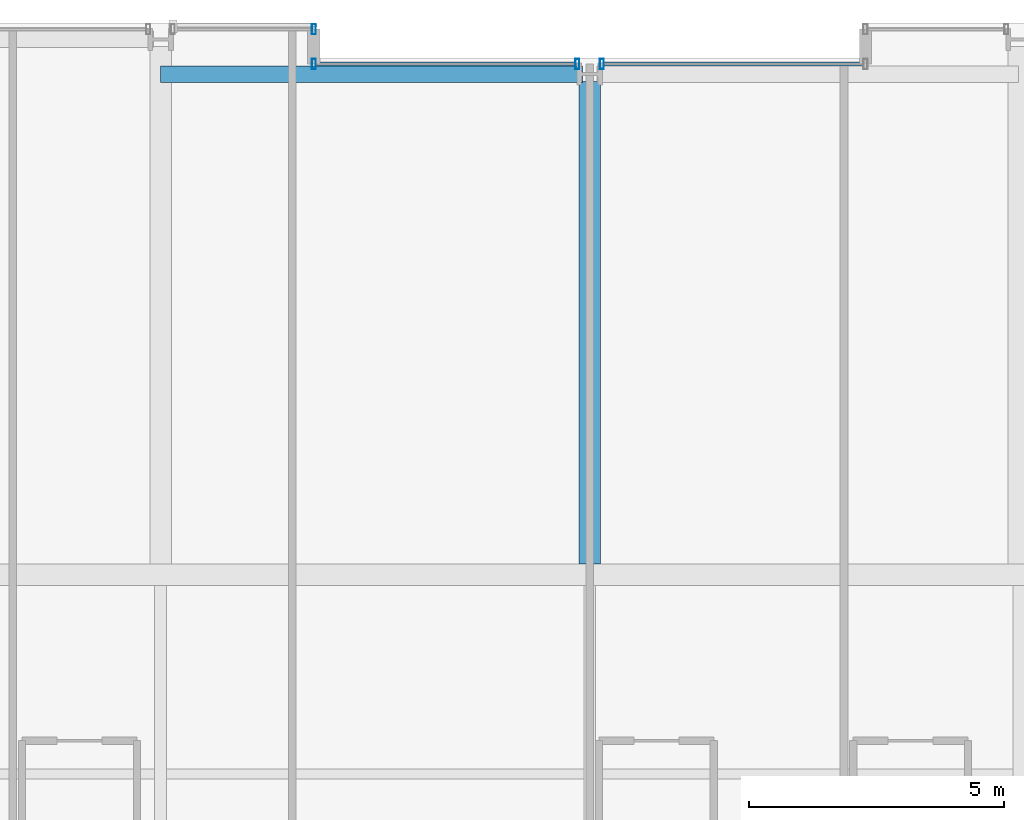
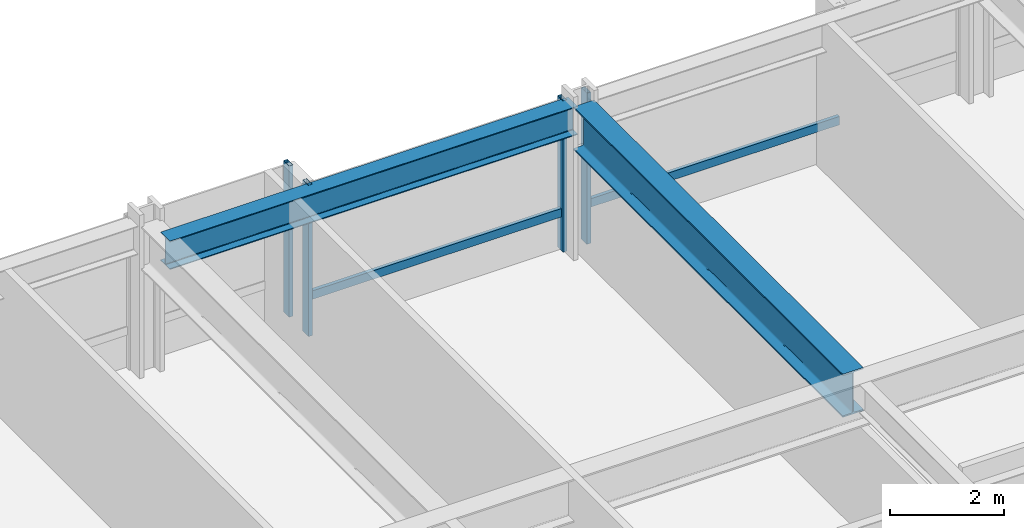
# One storey, part 23 of 39: 6 members, 2 beams, 3 elements without a shape of their own.
"""IFC4 building model written with IfcOpenShell, lengths in metres."""

from ifc_helpers import new_model, si_unit, direction, frame, origin, origin_2d, place, context, subcontext, project, spatial, hollow_rectangle, i_section, extrude, material, layer, layer_set, material_profile, profile_set, type_object, element, aggregate, save


model = new_model("IFC4")

# Units and contexts
model_context = context("Model", 3, precision=1e-05, world=origin(), true_north=direction((0.0, 1.0)))
body_context = subcontext(model_context, "Body", "Model", "MODEL_VIEW")
ifc_project = project(units=[si_unit("LENGTHUNIT", "METRE"), si_unit("AREAUNIT", "SQUARE_METRE"), si_unit("VOLUMEUNIT", "CUBIC_METRE"), si_unit("PLANEANGLEUNIT", "RADIAN"), si_unit("MASSUNIT", "GRAM", prefix="KILO")], contexts=[model_context])

# Site, building, storey
site_placement = place(None, origin())
site = spatial("IfcSite", under=ifc_project, at=site_placement, CompositionType="ELEMENT")
building_placement = place(site_placement, origin())
building = spatial("IfcBuilding", under=site, at=building_placement, Name="Drelvath Grand Hotel", CompositionType="ELEMENT")
storey_placement = place(building_placement, frame((0.0, 0.0, 40.199951171875)))
storey = spatial("IfcBuildingStorey", under=building, at=storey_placement, Name="L08", CompositionType="ELEMENT", Elevation=40.199951171875)

# Curtain wall, member
ifc_material_1 = material(Name="Warm Bronze Anodised Aluminium Frame", Category="aluminium")
ifc_layer = layer(ifc_material_1, 0.199951171875)
ifc_layer_set = layer_set([ifc_layer], Name="Warm Bronze Anodised Aluminium Frame")
curtain_wall_type = type_object("IfcCurtainWallType", Name="Stick Curtain Wall CW-02 Warm Bronze Low-Rise", PredefinedType="NOTDEFINED", material=ifc_layer_set)
curtain_wall_1_placement = place(storey_placement, origin())
curtain_wall_1 = element("IfcCurtainWall", 1, at=curtain_wall_1_placement, inside=storey, type_object=curtain_wall_type, Name="L08 CW-02 Curtain Wall CW02-L08-NM1", PredefinedType="NOTDEFINED")
ifc_material_profile_1 = material_profile(ifc_material_1, hollow_rectangle(XDim=0.074951171875, YDim=0.179931640625, WallThickness=0.0048828125, at=origin_2d()), Name="HSS180X75X5")
ifc_profile_set_1 = profile_set([ifc_material_profile_1], Name="Warm Bronze Anodised Aluminium Frame")
member_type_1 = type_object("IfcMemberType", Name="Curtain Wall Horizontal Transom CW-02 HSS180X75X5", PredefinedType="USERDEFINED", material=ifc_profile_set_1)
member_1_placement = place(storey_placement, frame((-5.360107421875, 53.199951171875, 0.81005859375), z_axis=(1.0, 0.0, 0.0), x_axis=(0.0, 1.0, 0.0)))
member_1 = element("IfcMember", 2, at=member_1_placement, type_object=member_type_1, Name="CW02-L08-NM1 Sill Transom", ObjectType="TRANSOM", PredefinedType="USERDEFINED", context=body_context, shape_type="SweptSolid", body=[
    extrude(hollow_rectangle(XDim=0.074951171875, YDim=0.179931640625, WallThickness=0.0048828125, at=origin_2d()), origin(), (0.0, 0.0, 1.0), 5.0791015625),
])

curtain_wall_2_placement = place(storey_placement, origin())
curtain_wall_2 = element("IfcCurtainWall", 3, at=curtain_wall_2_placement, inside=storey, type_object=curtain_wall_type, Name="L08 CW-02 Curtain Wall CW02-L08-NM2", PredefinedType="NOTDEFINED")
member_2_placement = place(storey_placement, frame((0.281005859375, 53.199951171875, 0.81005859375), z_axis=(1.0, 0.0, 0.0), x_axis=(0.0, 1.0, 0.0)))
member_2 = element("IfcMember", 4, at=member_2_placement, type_object=member_type_1, Name="CW02-L08-NM2 Sill Transom", ObjectType="TRANSOM", PredefinedType="USERDEFINED", context=body_context, shape_type="SweptSolid", body=[
    extrude(hollow_rectangle(XDim=0.074951171875, YDim=0.179931640625, WallThickness=0.0048828125, at=origin_2d()), origin(), (0.0, 0.0, 1.0), 5.0791015625),
])

curtain_wall_3_placement = place(storey_placement, origin())
curtain_wall_3 = element("IfcCurtainWall", 5, at=curtain_wall_3_placement, inside=storey, type_object=curtain_wall_type, Name="L08 CW-02 Curtain Wall CW02-L08-NW3", PredefinedType="NOTDEFINED")
ifc_material_profile_2 = material_profile(ifc_material_1, hollow_rectangle(XDim=0.080078125, YDim=0.199951171875, WallThickness=0.0048828125, at=origin_2d()), Name="HSS200X80X5")
ifc_profile_set_2 = profile_set([ifc_material_profile_2], Name="Warm Bronze Anodised Aluminium Frame")
member_type_2 = type_object("IfcMemberType", Name="Curtain Wall Vertical Mullion CW-02 HSS200X80X5", PredefinedType="MULLION", material=ifc_profile_set_2)
member_3_placement = place(storey_placement, frame((-5.39990234375, 53.8798828125, 0.0), z_axis=(0.0, 0.0, 1.0), x_axis=(1.0, 0.0, 0.0)))
member_3 = element("IfcMember", 6, at=member_3_placement, type_object=member_type_2, Name="CW02-L08-NW3 Mullion 2", PredefinedType="MULLION", context=body_context, shape_type="SweptSolid", body=[
    extrude(hollow_rectangle(XDim=0.080078125, YDim=0.199951171875, WallThickness=0.0048828125, at=origin_2d()), origin(), (0.0, 0.0, 1.0), 3.239990234375),
])
aggregate(curtain_wall_3, [member_3])

# Member
member_4_placement = place(storey_placement, frame((-5.39990234375, 53.199951171875, 0.0), z_axis=(0.0, 0.0, 1.0), x_axis=(1.0, 0.0, 0.0)))
member_4 = element("IfcMember", 7, at=member_4_placement, type_object=member_type_2, Name="CW02-L08-NM1 Mullion 1", PredefinedType="MULLION", context=body_context, shape_type="SweptSolid", body=[
    extrude(hollow_rectangle(XDim=0.080078125, YDim=0.199951171875, WallThickness=0.0048828125, at=origin_2d()), origin(), (0.0, 0.0, 1.0), 3.239990234375),
])

member_5_placement = place(storey_placement, frame((-0.240966796875, 53.199951171875, 0.0), z_axis=(0.0, 0.0, 1.0), x_axis=(1.0, 0.0, 0.0)))
member_5 = element("IfcMember", 8, at=member_5_placement, type_object=member_type_2, Name="CW02-L08-NM1 Mullion 2", PredefinedType="MULLION", context=body_context, shape_type="SweptSolid", body=[
    extrude(hollow_rectangle(XDim=0.080078125, YDim=0.199951171875, WallThickness=0.0048828125, at=origin_2d()), origin(), (0.0, 0.0, 1.0), 3.239990234375),
])

aggregate(curtain_wall_1, [member_4, member_5, member_1])

member_6_placement = place(storey_placement, frame((0.240966796875, 53.199951171875, 0.0), z_axis=(0.0, 0.0, 1.0), x_axis=(1.0, 0.0, 0.0)))
member_6 = element("IfcMember", 9, at=member_6_placement, type_object=member_type_2, Name="CW02-L08-NM2 Mullion 1", PredefinedType="MULLION", context=body_context, shape_type="SweptSolid", body=[
    extrude(hollow_rectangle(XDim=0.080078125, YDim=0.199951171875, WallThickness=0.0048828125, at=origin_2d()), origin(), (0.0, 0.0, 1.0), 3.239990234375),
])

aggregate(curtain_wall_2, [member_6, member_2])

# Beams
ifc_material_2 = material(Name="Steel ASTM A992 Gr 50", Category="steel")
ifc_material_profile_3 = material_profile(ifc_material_2, i_section(OverallWidth=0.323974609375, OverallDepth=0.611083984375, WebThickness=0.0126953125, FlangeThickness=0.01904296875, FilletRadius=0.02197265625, at=origin_2d()), Name="W24X104")
ifc_profile_set_3 = profile_set([ifc_material_profile_3], Name="Steel ASTM A992 Gr 50")
beam_type_1 = type_object("IfcBeamType", Name="Perimeter Spandrel Beam W24X104", PredefinedType="SPANDREL", material=ifc_profile_set_3)
beam_1_placement = place(storey_placement, frame((-8.39990234375, 53.0, 2.9345703125), z_axis=(1.0, 0.0, 0.0), x_axis=(0.0, 1.0, 0.0)))
element("IfcBeam", 10, at=beam_1_placement, inside=storey, type_object=beam_type_1, Name="L08 Spandrel North Mid W", PredefinedType="SPANDREL", context=body_context, shape_type="SweptSolid", body=[
    extrude(i_section(OverallWidth=0.323974609375, OverallDepth=0.611083984375, WebThickness=0.0126953125, FlangeThickness=0.01904296875, FilletRadius=0.02197265625, at=origin_2d()), origin(), (0.0, 0.0, 1.0), 8.260009765625),
])
ifc_material_profile_4 = material_profile(ifc_material_2, i_section(OverallWidth=0.418212890625, OverallDepth=0.926513671875, WebThickness=0.019287109375, FlangeThickness=0.031982421875, FilletRadius=0.028076171875, at=origin_2d()), Name="W36X231")
ifc_profile_set_4 = profile_set([ifc_material_profile_4], Name="Steel ASTM A992 Gr 50")
beam_type_2 = type_object("IfcBeamType", Name="Primary Floor Girder W36X231", PredefinedType="BEAM", material=ifc_profile_set_4)
beam_2_placement = place(storey_placement, frame((0.0, 43.4091796875, 2.77685546875), z_axis=(0.0, 1.0, 0.0), x_axis=(-1.0, 0.0, 0.0)))
element("IfcBeam", 11, at=beam_2_placement, inside=storey, type_object=beam_type_2, Name="L08 North Wing Girder 5", PredefinedType="BEAM", context=body_context, shape_type="SweptSolid", body=[
    extrude(i_section(OverallWidth=0.418212890625, OverallDepth=0.926513671875, WebThickness=0.019287109375, FlangeThickness=0.031982421875, FilletRadius=0.028076171875, at=origin_2d()), origin(), (0.0, 0.0, 1.0), 9.450927734375),
])

save(model, "model.ifc")
